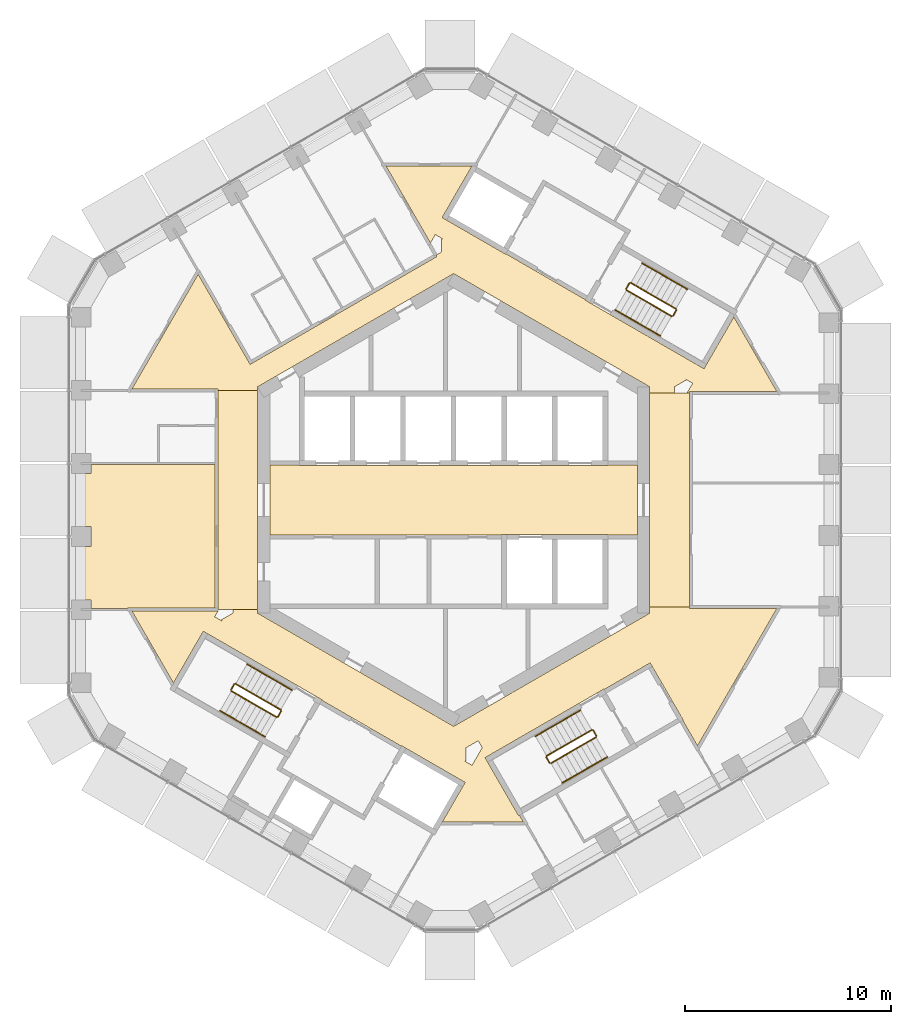
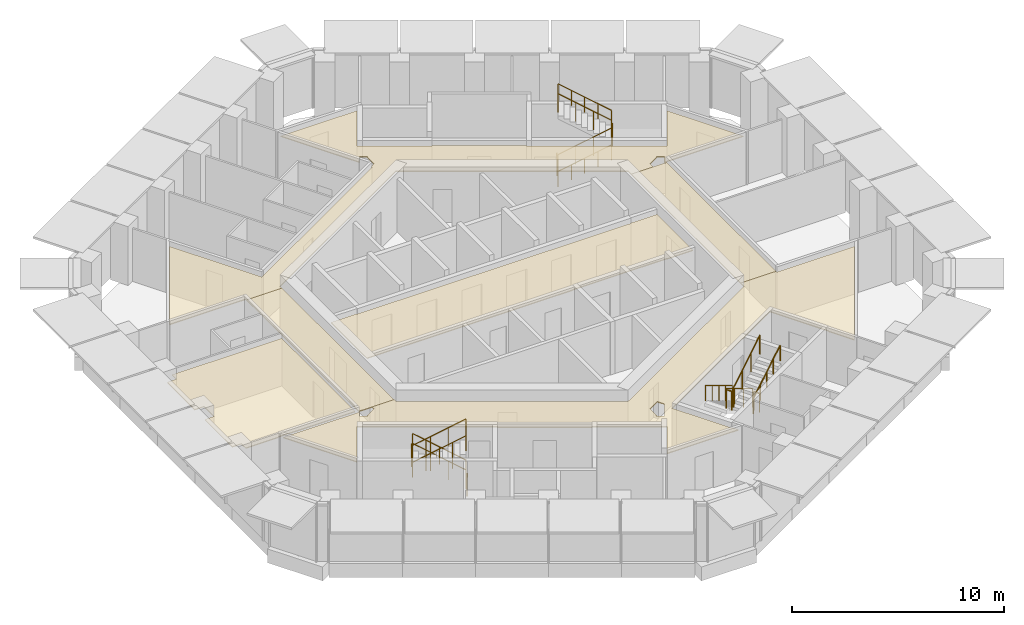
# One storey, part 18 of 18: 24 railings, 6 coverings.
"""IFC4 building model written with IfcOpenShell, lengths in metres."""

from ifc_helpers import new_model, si_unit, direction, frame, origin, origin_2d, place, context, subcontext, project, spatial, polyline, circle, outline, extrude, material, layer, layer_set, type_object, element, save


model = new_model("IFC4")

# Units and contexts
model_context = context("Model", 3, precision=1e-05, world=origin(), true_north=direction((0.0, 1.0)))
body_context = subcontext(model_context, "Body", "Model", "MODEL_VIEW")
ifc_project = project(units=[si_unit("LENGTHUNIT", "METRE"), si_unit("AREAUNIT", "SQUARE_METRE"), si_unit("VOLUMEUNIT", "CUBIC_METRE"), si_unit("PLANEANGLEUNIT", "RADIAN"), si_unit("MASSUNIT", "GRAM", prefix="KILO")], contexts=[model_context])

# Site, building, storey
site_placement = place(None, origin())
site = spatial("IfcSite", under=ifc_project, at=site_placement, CompositionType="ELEMENT")
building_placement = place(site_placement, origin())
building = spatial("IfcBuilding", under=site, at=building_placement, Name="Ayvan Gate Tower", CompositionType="ELEMENT")
storey_placement = place(building_placement, frame((0.0, 0.0, 159.5)))
storey = spatial("IfcBuildingStorey", under=building, at=storey_placement, Name="L42", CompositionType="ELEMENT", Elevation=159.5)

# Coverings
ifc_material_1 = material(Name="Plasterboard suspended ceiling")
ifc_layer = layer(ifc_material_1, 0.050048828125)
ifc_layer_set = layer_set([ifc_layer], Name="Plasterboard suspended ceiling")
covering_type = type_object("IfcCoveringType", Name="CT-SUSP-50", PredefinedType="CEILING", material=ifc_layer_set)
covering_1_placement = place(storey_placement, frame((0.0, 0.0, 2.699951171875)))
element("IfcCovering", 1, at=covering_1_placement, inside=storey, type_object=covering_type, Name="Ceiling Lift Lobby L42", PredefinedType="CEILING", context=body_context, shape_type="SweptSolid", body=[
    extrude(outline(polyline([(7.47509765625, -1.675048828125), (2.324951171875, -1.675048828125), (2.324951171875, -1.699951171875), (-8.89990234375, -1.699951171875), (-8.89990234375, 1.699951171875), (-7.47509765625, 1.699951171875), (-7.47509765625, 1.675048828125), (7.47509765625, 1.675048828125), (7.47509765625, 1.699951171875), (8.89990234375, 1.699951171875), (8.89990234375, -1.699951171875), (7.47509765625, -1.699951171875), (7.47509765625, -1.675048828125)])), origin(), (0.0, 0.0, 1.0), 0.050048828125),
])
covering_2_placement = place(storey_placement, frame((0.0, 0.0, 2.699951171875)))
element("IfcCovering", 2, at=covering_2_placement, inside=storey, type_object=covering_type, Name="Ceiling Gallery L42", PredefinedType="CEILING", context=body_context, shape_type="SweptSolid", body=[
    extrude(outline(polyline([(-11.914794921875, -6.48681640625), (-12.131103515625, -6.36181640625), (-13.577880859375, -8.8671875), (-15.593017578125, -5.376953125), (-11.418212890625, -5.376953125), (-11.580322265625, -5.65771484375), (-11.2294921875, -5.8603515625), (-11.259765625, -5.80810546875), (-10.699951171875, -5.48486328125), (-10.699951171875, -5.302001953125), (-9.5, -5.302001953125), (-9.5, -5.48486328125), (0.0, -10.9697265625), (8.38720703125, -6.127197265625), (9.5, -5.48486328125), (9.5, -5.178466796875), (11.4248046875, -5.178466796875), (11.4248046875, -5.25341796875), (15.664306640625, -5.25341796875), (11.81689453125, -11.917236328125), (11.102294921875, -10.6796875), (11.123779296875, -10.667236328125), (9.623779296875, -8.069091796875), (9.52392578125, -7.89599609375), (7.2939453125, -9.183349609375), (7.281494140625, -9.16162109375), (1.522216796875, -12.48681640625), (1.647216796875, -12.703369140625), (3.147216796875, -15.30126953125), (3.190673828125, -15.2763671875), (3.373046875, -15.59228515625), (-0.544189453125, -15.59228515625), (0.43115234375, -13.9033203125), (0.55615234375, -13.686767578125), (-2.284423828125, -12.046630859375), (-2.518310546875, -11.91162109375), (-2.53076171875, -11.933349609375), (-6.384521484375, -9.70849609375), (-6.3720703125, -9.686767578125), (-11.91455078125, -6.48681640625), (-11.914794921875, -6.48681640625)]), holes=[polyline([(1.385498046875, -12.0), (1.193115234375, -11.66650390625), (0.60009765625, -12.0087890625), (0.60009765625, -12.6552734375), (0.53955078125, -12.6552734375), (0.890380859375, -12.85791015625), (1.385498046875, -12.0)])]), origin(), (0.0, 0.0, 1.0), 0.050048828125),
])
covering_3_placement = place(storey_placement, frame((0.0, 0.0, 2.699951171875)))
element("IfcCovering", 3, at=covering_3_placement, inside=storey, type_object=covering_type, Name="Ceiling Gallery L42", PredefinedType="CEILING", context=body_context, shape_type="SweptSolid", body=[
    extrude(outline(polyline([(-9.732421875, 6.649658203125), (-9.732421875, 6.64990234375), (-0.82763671875, 11.790771484375), (-0.865234375, 11.855712890625), (-0.60009765625, 12.0087890625), (-0.60009765625, 12.6552734375), (-0.53955078125, 12.6552734375), (-0.890380859375, 12.85791015625), (-1.123779296875, 12.45361328125), (-3.282470703125, 16.1923828125), (0.890380859375, 16.1923828125), (-0.55615234375, 13.686767578125), (-0.339599609375, 13.561767578125), (2.518310546875, 11.91162109375), (2.53076171875, 11.933349609375), (6.384521484375, 9.70849609375), (6.3720703125, 9.686767578125), (6.588623046875, 9.561767578125), (12.131103515625, 6.36181640625), (12.24609375, 6.56103515625), (13.577880859375, 8.8671875), (15.664306640625, 5.25341796875), (11.425048828125, 5.25341796875), (11.425048828125, 5.178466796875), (11.3037109375, 5.178466796875), (11.580322265625, 5.65771484375), (11.2294921875, 5.8603515625), (11.259765625, 5.80810546875), (10.699951171875, 5.48486328125), (10.699951171875, 5.178466796875), (9.5, 5.178466796875), (9.5, 5.48486328125), (0.0, 10.9697265625), (-9.5, 5.48486328125), (-9.5, 5.302001953125), (-11.425048828125, 5.302001953125), (-11.425048828125, 5.376953125), (-15.593017578125, 5.376953125), (-12.3818359375, 10.938720703125), (-9.8623046875, 6.57470703125), (-9.732421875, 6.649658203125)])), origin(), (0.0, 0.0, 1.0), 0.050048828125),
])
covering_4_placement = place(storey_placement, frame((0.0, 0.0, 2.699951171875)))
element("IfcCovering", 4, at=covering_4_placement, inside=storey, type_object=covering_type, Name="Ceiling Lift Lounge Lobby L42", PredefinedType="CEILING", context=body_context, shape_type="SweptSolid", body=[
    extrude(outline(polyline([(11.4248046875, -5.178466796875), (9.5, -5.178466796875), (9.5, 5.178466796875), (11.425048828125, 5.178466796875), (11.425048828125, -5.103515625), (11.4248046875, -5.103515625), (11.4248046875, -5.178466796875)])), origin(), (0.0, 0.0, 1.0), 0.050048828125),
])
covering_5_placement = place(storey_placement, frame((0.0, 0.0, 2.699951171875)))
element("IfcCovering", 5, at=covering_5_placement, inside=storey, type_object=covering_type, Name="Ceiling Lift Lounge Lobby L42", PredefinedType="CEILING", context=body_context, shape_type="SweptSolid", body=[
    extrude(outline(polyline([(-11.4248046875, -5.226806640625), (-11.425048828125, 5.302001953125), (-9.5, 5.302001953125), (-9.5, -5.302001953125), (-11.4248046875, -5.302001953125), (-11.4248046875, -5.226806640625)])), origin(), (0.0, 0.0, 1.0), 0.050048828125),
])
covering_6_placement = place(storey_placement, frame((0.0, 0.0, 2.699951171875)))
element("IfcCovering", 6, at=covering_6_placement, inside=storey, type_object=covering_type, Name="Ceiling Shared Kitchen L42", PredefinedType="CEILING", context=body_context, shape_type="SweptSolid", body=[
    extrude(outline(polyline([(-17.563232421875, -2.24560546875), (-17.563232421875, -1.295654296875), (-18.06787109375, -1.295654296875), (-18.06787109375, 1.295654296875), (-17.563232421875, 1.295654296875), (-17.563232421875, 1.71728515625), (-11.574951171875, 1.71728515625), (-11.574951171875, -5.226806640625), (-15.7978515625, -5.226806640625), (-15.7978515625, -5.251953125), (-17.563232421875, -5.251953125), (-17.563232421875, -4.837158203125), (-18.06787109375, -4.837158203125), (-18.06787109375, -2.24560546875), (-17.563232421875, -2.24560546875)])), origin(), (0.0, 0.0, 1.0), 0.050048828125),
])

# Railings
ifc_material_2 = material(Name="Stainless steel balustrade", Category="steel")
railing_type_1 = type_object("IfcRailingType", Name="RL-GUARD-1100", PredefinedType="GUARDRAIL", material=ifc_material_2)
railing_1_placement = place(storey_placement, frame((8.381103515625, 10.16650390625, 0.169921875)))
element("IfcRailing", 7, at=railing_1_placement, inside=storey, type_object=railing_type_1, Name="L42 STS1 stair guard 1", PredefinedType="GUARDRAIL", context=body_context, shape_type="SweptSolid", body=[
    extrude(circle(Radius=0.02392578125, at=origin_2d()), frame((0.0, 0.0, 1.076171875), z_axis=(0.740261155115, -0.427395438142, 0.518986090067), x_axis=(0.500004791531, 0.866022637375, 0.0)), (0.0, 0.0, 1.0), 2.947998046875),
    extrude(circle(Radius=0.02099609375, at=origin_2d()), origin(), (0.0, 0.0, 1.0), 1.052001953125),
    extrude(circle(Radius=0.02099609375, at=origin_2d()), frame((0.7275390625, -0.419921875, 0.510009765625)), (0.0, 0.0, 1.0), 1.052001953125),
    extrude(circle(Radius=0.02099609375, at=origin_2d()), frame((1.454833984375, -0.840087890625, 1.02001953125)), (0.0, 0.0, 1.0), 1.052001953125),
    extrude(circle(Radius=0.02099609375, at=origin_2d()), frame((2.182373046875, -1.260009765625, 1.530029296875)), (0.0, 0.0, 1.0), 1.052001953125),
])
railing_2_placement = place(storey_placement, frame((10.6318359375, 8.9248046875, 1.699951171875)))
element("IfcRailing", 8, at=railing_2_placement, inside=storey, type_object=railing_type_1, Name="L42 STS1 stair guard 2", PredefinedType="GUARDRAIL", context=body_context, shape_type="SweptSolid", body=[
    extrude(circle(Radius=0.02392578125, at=origin_2d()), frame((0.0, 0.0, 1.076171875), z_axis=(0.499949632511, 0.866054481515, 0.0), x_axis=(-0.866054481515, 0.499949632511, 0.0)), (0.0, 0.0, 1.0), 0.31005859375),
    extrude(circle(Radius=0.02099609375, at=origin_2d()), origin(), (0.0, 0.0, 1.0), 1.052001953125),
    extrude(circle(Radius=0.02099609375, at=origin_2d()), frame((0.155029296875, 0.2685546875, 0.0)), (0.0, 0.0, 1.0), 1.052001953125),
])
railing_3_placement = place(storey_placement, frame((10.7685546875, 9.261474609375, 1.8701171875)))
element("IfcRailing", 9, at=railing_3_placement, inside=storey, type_object=railing_type_1, Name="L42 STS1 stair guard 3", PredefinedType="GUARDRAIL", context=body_context, shape_type="SweptSolid", body=[
    extrude(circle(Radius=0.02392578125, at=origin_2d()), frame((0.0, 0.0, 1.076171875), z_axis=(-0.740292969978, 0.427413806696, 0.51892557891), x_axis=(-0.500004791531, -0.866022637375, 0.0)), (0.0, 0.0, 1.0), 2.947998046875),
    extrude(circle(Radius=0.02099609375, at=origin_2d()), origin(), (0.0, 0.0, 1.0), 1.052001953125),
    extrude(circle(Radius=0.02099609375, at=origin_2d()), frame((-0.7275390625, 0.419921875, 0.510009765625)), (0.0, 0.0, 1.0), 1.052001953125),
    extrude(circle(Radius=0.02099609375, at=origin_2d()), frame((-1.454833984375, 0.840087890625, 1.019775390625)), (0.0, 0.0, 1.0), 1.052001953125),
    extrude(circle(Radius=0.02099609375, at=origin_2d()), frame((-2.182373046875, 1.260009765625, 1.52978515625)), (0.0, 0.0, 1.0), 1.052001953125),
])
railing_4_placement = place(storey_placement, frame((8.36279296875, 10.23486328125, 0.0)))
element("IfcRailing", 10, at=railing_4_placement, inside=storey, type_object=railing_type_1, Name="L42 STS1 stair guard 4", PredefinedType="GUARDRAIL", context=body_context, shape_type="SweptSolid", body=[
    extrude(circle(Radius=0.02392578125, at=origin_2d()), frame((0.0, 0.0, 1.076171875), z_axis=(0.500290723946, 0.86585748916, 0.0), x_axis=(-0.86585748916, 0.500290723946, 0.0)), (0.0, 0.0, 1.0), 0.309814453125),
    extrude(circle(Radius=0.02099609375, at=origin_2d()), origin(), (0.0, 0.0, 1.0), 1.052001953125),
    extrude(circle(Radius=0.02099609375, at=origin_2d()), frame((0.155029296875, 0.268310546875, 0.0)), (0.0, 0.0, 1.0), 1.052001953125),
])
railing_5_placement = place(storey_placement, frame((-8.381103515625, -10.16650390625, 0.169921875)))
element("IfcRailing", 11, at=railing_5_placement, inside=storey, type_object=railing_type_1, Name="L42 STS2 stair guard 1", PredefinedType="GUARDRAIL", context=body_context, shape_type="SweptSolid", body=[
    extrude(circle(Radius=0.02392578125, at=origin_2d()), frame((0.0, 0.0, 1.076171875), z_axis=(-0.740261155115, 0.427395438142, 0.518986090067), x_axis=(-0.500004791531, -0.866022637375, 0.0)), (0.0, 0.0, 1.0), 2.947998046875),
    extrude(circle(Radius=0.02099609375, at=origin_2d()), origin(), (0.0, 0.0, 1.0), 1.052001953125),
    extrude(circle(Radius=0.02099609375, at=origin_2d()), frame((-0.7275390625, 0.419921875, 0.510009765625)), (0.0, 0.0, 1.0), 1.052001953125),
    extrude(circle(Radius=0.02099609375, at=origin_2d()), frame((-1.454833984375, 0.840087890625, 1.02001953125)), (0.0, 0.0, 1.0), 1.052001953125),
    extrude(circle(Radius=0.02099609375, at=origin_2d()), frame((-2.182373046875, 1.260009765625, 1.530029296875)), (0.0, 0.0, 1.0), 1.052001953125),
])
railing_6_placement = place(storey_placement, frame((-10.6318359375, -8.9248046875, 1.699951171875)))
element("IfcRailing", 12, at=railing_6_placement, inside=storey, type_object=railing_type_1, Name="L42 STS2 stair guard 2", PredefinedType="GUARDRAIL", context=body_context, shape_type="SweptSolid", body=[
    extrude(circle(Radius=0.02392578125, at=origin_2d()), frame((0.0, 0.0, 1.076171875), z_axis=(-0.499949632511, -0.866054481515, 0.0), x_axis=(0.866054481515, -0.499949632511, 0.0)), (0.0, 0.0, 1.0), 0.31005859375),
    extrude(circle(Radius=0.02099609375, at=origin_2d()), origin(), (0.0, 0.0, 1.0), 1.052001953125),
    extrude(circle(Radius=0.02099609375, at=origin_2d()), frame((-0.155029296875, -0.2685546875, 0.0)), (0.0, 0.0, 1.0), 1.052001953125),
])
railing_7_placement = place(storey_placement, frame((-10.7685546875, -9.261474609375, 1.8701171875)))
element("IfcRailing", 13, at=railing_7_placement, inside=storey, type_object=railing_type_1, Name="L42 STS2 stair guard 3", PredefinedType="GUARDRAIL", context=body_context, shape_type="SweptSolid", body=[
    extrude(circle(Radius=0.02392578125, at=origin_2d()), frame((0.0, 0.0, 1.076171875), z_axis=(0.740292969978, -0.427413806696, 0.51892557891), x_axis=(0.500004791531, 0.866022637375, 0.0)), (0.0, 0.0, 1.0), 2.947998046875),
    extrude(circle(Radius=0.02099609375, at=origin_2d()), origin(), (0.0, 0.0, 1.0), 1.052001953125),
    extrude(circle(Radius=0.02099609375, at=origin_2d()), frame((0.7275390625, -0.419921875, 0.510009765625)), (0.0, 0.0, 1.0), 1.052001953125),
    extrude(circle(Radius=0.02099609375, at=origin_2d()), frame((1.454833984375, -0.840087890625, 1.019775390625)), (0.0, 0.0, 1.0), 1.052001953125),
    extrude(circle(Radius=0.02099609375, at=origin_2d()), frame((2.182373046875, -1.260009765625, 1.52978515625)), (0.0, 0.0, 1.0), 1.052001953125),
])
railing_8_placement = place(storey_placement, frame((-8.36279296875, -10.23486328125, 0.0)))
element("IfcRailing", 14, at=railing_8_placement, inside=storey, type_object=railing_type_1, Name="L42 STS2 stair guard 4", PredefinedType="GUARDRAIL", context=body_context, shape_type="SweptSolid", body=[
    extrude(circle(Radius=0.02392578125, at=origin_2d()), frame((0.0, 0.0, 1.076171875), z_axis=(-0.500290723946, -0.86585748916, 0.0), x_axis=(0.86585748916, -0.500290723946, 0.0)), (0.0, 0.0, 1.0), 0.309814453125),
    extrude(circle(Radius=0.02099609375, at=origin_2d()), origin(), (0.0, 0.0, 1.0), 1.052001953125),
    extrude(circle(Radius=0.02099609375, at=origin_2d()), frame((-0.155029296875, -0.268310546875, 0.0)), (0.0, 0.0, 1.0), 1.052001953125),
])
railing_9_placement = place(storey_placement, frame((6.6923828125, -11.1416015625, 0.169921875)))
element("IfcRailing", 15, at=railing_9_placement, inside=storey, type_object=railing_type_1, Name="L42 STS3 stair guard 1", PredefinedType="GUARDRAIL", context=body_context, shape_type="SweptSolid", body=[
    extrude(circle(Radius=0.02392578125, at=origin_2d()), frame((0.0, 0.0, 1.076171875), z_axis=(-0.740261155115, -0.427395438142, 0.518986090067), x_axis=(0.500004791531, -0.866022637375, 0.0)), (0.0, 0.0, 1.0), 2.947998046875),
    extrude(circle(Radius=0.02099609375, at=origin_2d()), origin(), (0.0, 0.0, 1.0), 1.052001953125),
    extrude(circle(Radius=0.02099609375, at=origin_2d()), frame((-0.7275390625, -0.419921875, 0.510009765625)), (0.0, 0.0, 1.0), 1.052001953125),
    extrude(circle(Radius=0.02099609375, at=origin_2d()), frame((-1.454833984375, -0.840087890625, 1.02001953125)), (0.0, 0.0, 1.0), 1.052001953125),
    extrude(circle(Radius=0.02099609375, at=origin_2d()), frame((-2.182373046875, -1.260009765625, 1.530029296875)), (0.0, 0.0, 1.0), 1.052001953125),
])
railing_10_placement = place(storey_placement, frame((4.49169921875, -12.4697265625, 1.699951171875)))
element("IfcRailing", 16, at=railing_10_placement, inside=storey, type_object=railing_type_1, Name="L42 STS3 stair guard 2", PredefinedType="GUARDRAIL", context=body_context, shape_type="SweptSolid", body=[
    extrude(circle(Radius=0.02392578125, at=origin_2d()), frame((0.0, 0.0, 1.076171875), z_axis=(0.499949632511, -0.866054481515, 0.0), x_axis=(0.866054481515, 0.499949632511, 0.0)), (0.0, 0.0, 1.0), 0.31005859375),
    extrude(circle(Radius=0.02099609375, at=origin_2d()), origin(), (0.0, 0.0, 1.0), 1.052001953125),
    extrude(circle(Radius=0.02099609375, at=origin_2d()), frame((0.155029296875, -0.2685546875, 0.0)), (0.0, 0.0, 1.0), 1.052001953125),
])
railing_11_placement = place(storey_placement, frame((4.715087890625, -12.756591796875, 1.8701171875)))
element("IfcRailing", 17, at=railing_11_placement, inside=storey, type_object=railing_type_1, Name="L42 STS3 stair guard 3", PredefinedType="GUARDRAIL", context=body_context, shape_type="SweptSolid", body=[
    extrude(circle(Radius=0.02392578125, at=origin_2d()), frame((0.0, 0.0, 1.076171875), z_axis=(0.740292969978, 0.427413806696, 0.51892557891), x_axis=(-0.500004791531, 0.866022637375, 0.0)), (0.0, 0.0, 1.0), 2.947998046875),
    extrude(circle(Radius=0.02099609375, at=origin_2d()), origin(), (0.0, 0.0, 1.0), 1.052001953125),
    extrude(circle(Radius=0.02099609375, at=origin_2d()), frame((0.7275390625, 0.419921875, 0.510009765625)), (0.0, 0.0, 1.0), 1.052001953125),
    extrude(circle(Radius=0.02099609375, at=origin_2d()), frame((1.454833984375, 0.840087890625, 1.019775390625)), (0.0, 0.0, 1.0), 1.052001953125),
    extrude(circle(Radius=0.02099609375, at=origin_2d()), frame((2.182373046875, 1.260009765625, 1.52978515625)), (0.0, 0.0, 1.0), 1.052001953125),
])
railing_12_placement = place(storey_placement, frame((6.7607421875, -11.159912109375, 0.0)))
element("IfcRailing", 18, at=railing_12_placement, inside=storey, type_object=railing_type_1, Name="L42 STS3 stair guard 4", PredefinedType="GUARDRAIL", context=body_context, shape_type="SweptSolid", body=[
    extrude(circle(Radius=0.02392578125, at=origin_2d()), frame((0.0, 0.0, 1.076171875), z_axis=(0.500290723946, -0.86585748916, 0.0), x_axis=(0.86585748916, 0.500290723946, 0.0)), (0.0, 0.0, 1.0), 0.309814453125),
    extrude(circle(Radius=0.02099609375, at=origin_2d()), origin(), (0.0, 0.0, 1.0), 1.052001953125),
    extrude(circle(Radius=0.02099609375, at=origin_2d()), frame((0.155029296875, -0.268310546875, 0.0)), (0.0, 0.0, 1.0), 1.052001953125),
])
railing_type_2 = type_object("IfcRailingType", Name="RL-HANDRAIL-900", PredefinedType="HANDRAIL", material=ifc_material_2)
railing_13_placement = place(storey_placement, frame((7.8310546875, 9.2138671875, 0.169921875)))
element("IfcRailing", 19, at=railing_13_placement, inside=storey, type_object=railing_type_2, Name="L42 STS1 stair handrail 1", PredefinedType="HANDRAIL", context=body_context, shape_type="SweptSolid", body=[
    extrude(circle(Radius=0.02392578125, at=origin_2d()), frame((0.0, 0.0, 0.8759765625), z_axis=(0.740292964666, -0.42728318766, 0.519033143459), x_axis=(0.499890179513, 0.866088799389, 0.0)), (0.0, 0.0, 1.0), 1.47412109375),
    extrude(circle(Radius=0.02099609375, at=origin_2d()), origin(), (0.0, 0.0, 1.0), 0.851806640625),
    extrude(circle(Radius=0.02099609375, at=origin_2d()), frame((0.545654296875, -0.31494140625, 0.382568359375)), (0.0, 0.0, 1.0), 0.851806640625),
    extrude(circle(Radius=0.02099609375, at=origin_2d()), frame((1.09130859375, -0.6298828125, 0.76513671875)), (0.0, 0.0, 1.0), 0.851806640625),
])
railing_14_placement = place(storey_placement, frame((8.92236328125, 8.583984375, 0.93505859375)))
element("IfcRailing", 20, at=railing_14_placement, inside=storey, type_object=railing_type_2, Name="L42 STS1 stair handrail 2", PredefinedType="HANDRAIL", context=body_context, shape_type="SweptSolid", body=[
    extrude(circle(Radius=0.02392578125, at=origin_2d()), frame((0.0, 0.0, 0.8759765625), z_axis=(0.740229329464, -0.427507697325, 0.518939021976), x_axis=(0.50011940292, 0.865956455501, 0.0)), (0.0, 0.0, 1.0), 1.473876953125),
    extrude(circle(Radius=0.02099609375, at=origin_2d()), origin(), (0.0, 0.0, 1.0), 0.851806640625),
    extrude(circle(Radius=0.02099609375, at=origin_2d()), frame((0.54541015625, -0.31494140625, 0.38232421875)), (0.0, 0.0, 1.0), 0.851806640625),
    extrude(circle(Radius=0.02099609375, at=origin_2d()), frame((1.091064453125, -0.630126953125, 0.764892578125)), (0.0, 0.0, 1.0), 0.851806640625),
])
railing_15_placement = place(storey_placement, frame((11.318603515625, 10.214111328125, 1.8701171875)))
element("IfcRailing", 21, at=railing_15_placement, inside=storey, type_object=railing_type_2, Name="L42 STS1 stair handrail 3", PredefinedType="HANDRAIL", context=body_context, shape_type="SweptSolid", body=[
    extrude(circle(Radius=0.02392578125, at=origin_2d()), frame((0.0, 0.0, 0.8759765625), z_axis=(-0.740304193401, 0.427455284825, 0.518875399983), x_axis=(-0.500035496587, -0.86600490885, 0.0)), (0.0, 0.0, 1.0), 1.47412109375),
    extrude(circle(Radius=0.02099609375, at=origin_2d()), origin(), (0.0, 0.0, 1.0), 0.851806640625),
    extrude(circle(Radius=0.02099609375, at=origin_2d()), frame((-0.545654296875, 0.31494140625, 0.38232421875)), (0.0, 0.0, 1.0), 0.851806640625),
    extrude(circle(Radius=0.02099609375, at=origin_2d()), frame((-1.09130859375, 0.630126953125, 0.764892578125)), (0.0, 0.0, 1.0), 0.851806640625),
])
railing_16_placement = place(storey_placement, frame((10.227294921875, 10.84423828125, 2.635009765625)))
element("IfcRailing", 22, at=railing_16_placement, inside=storey, type_object=railing_type_2, Name="L42 STS1 stair handrail 4", PredefinedType="HANDRAIL", context=body_context, shape_type="SweptSolid", body=[
    extrude(circle(Radius=0.02392578125, at=origin_2d()), frame((0.0, 0.0, 0.8759765625), z_axis=(-0.740356597536, 0.427319915356, 0.518912129772), x_axis=(-0.499890179513, -0.866088799389, 0.0)), (0.0, 0.0, 1.0), 1.47412109375),
    extrude(circle(Radius=0.02099609375, at=origin_2d()), origin(), (0.0, 0.0, 1.0), 0.851806640625),
    extrude(circle(Radius=0.02099609375, at=origin_2d()), frame((-0.545654296875, 0.31494140625, 0.38232421875)), (0.0, 0.0, 1.0), 0.851806640625),
    extrude(circle(Radius=0.02099609375, at=origin_2d()), frame((-1.09130859375, 0.6298828125, 0.764892578125)), (0.0, 0.0, 1.0), 0.851806640625),
])
railing_17_placement = place(storey_placement, frame((-7.8310546875, -9.2138671875, 0.169921875)))
element("IfcRailing", 23, at=railing_17_placement, inside=storey, type_object=railing_type_2, Name="L42 STS2 stair handrail 1", PredefinedType="HANDRAIL", context=body_context, shape_type="SweptSolid", body=[
    extrude(circle(Radius=0.02392578125, at=origin_2d()), frame((0.0, 0.0, 0.8759765625), z_axis=(-0.740292964666, 0.42728318766, 0.519033143459), x_axis=(-0.499890179513, -0.866088799389, 0.0)), (0.0, 0.0, 1.0), 1.47412109375),
    extrude(circle(Radius=0.02099609375, at=origin_2d()), origin(), (0.0, 0.0, 1.0), 0.851806640625),
    extrude(circle(Radius=0.02099609375, at=origin_2d()), frame((-0.545654296875, 0.31494140625, 0.382568359375)), (0.0, 0.0, 1.0), 0.851806640625),
    extrude(circle(Radius=0.02099609375, at=origin_2d()), frame((-1.09130859375, 0.6298828125, 0.76513671875)), (0.0, 0.0, 1.0), 0.851806640625),
])
railing_18_placement = place(storey_placement, frame((-8.92236328125, -8.583984375, 0.93505859375)))
element("IfcRailing", 24, at=railing_18_placement, inside=storey, type_object=railing_type_2, Name="L42 STS2 stair handrail 2", PredefinedType="HANDRAIL", context=body_context, shape_type="SweptSolid", body=[
    extrude(circle(Radius=0.02392578125, at=origin_2d()), frame((0.0, 0.0, 0.8759765625), z_axis=(-0.740229329464, 0.427507697325, 0.518939021976), x_axis=(-0.50011940292, -0.865956455501, 0.0)), (0.0, 0.0, 1.0), 1.473876953125),
    extrude(circle(Radius=0.02099609375, at=origin_2d()), origin(), (0.0, 0.0, 1.0), 0.851806640625),
    extrude(circle(Radius=0.02099609375, at=origin_2d()), frame((-0.54541015625, 0.31494140625, 0.38232421875)), (0.0, 0.0, 1.0), 0.851806640625),
    extrude(circle(Radius=0.02099609375, at=origin_2d()), frame((-1.091064453125, 0.630126953125, 0.764892578125)), (0.0, 0.0, 1.0), 0.851806640625),
])
railing_19_placement = place(storey_placement, frame((-11.318603515625, -10.214111328125, 1.8701171875)))
element("IfcRailing", 25, at=railing_19_placement, inside=storey, type_object=railing_type_2, Name="L42 STS2 stair handrail 3", PredefinedType="HANDRAIL", context=body_context, shape_type="SweptSolid", body=[
    extrude(circle(Radius=0.02392578125, at=origin_2d()), frame((0.0, 0.0, 0.8759765625), z_axis=(0.740304193401, -0.427455284825, 0.518875399983), x_axis=(0.500035496587, 0.86600490885, 0.0)), (0.0, 0.0, 1.0), 1.47412109375),
    extrude(circle(Radius=0.02099609375, at=origin_2d()), origin(), (0.0, 0.0, 1.0), 0.851806640625),
    extrude(circle(Radius=0.02099609375, at=origin_2d()), frame((0.545654296875, -0.31494140625, 0.38232421875)), (0.0, 0.0, 1.0), 0.851806640625),
    extrude(circle(Radius=0.02099609375, at=origin_2d()), frame((1.09130859375, -0.630126953125, 0.764892578125)), (0.0, 0.0, 1.0), 0.851806640625),
])
railing_20_placement = place(storey_placement, frame((-10.227294921875, -10.84423828125, 2.635009765625)))
element("IfcRailing", 26, at=railing_20_placement, inside=storey, type_object=railing_type_2, Name="L42 STS2 stair handrail 4", PredefinedType="HANDRAIL", context=body_context, shape_type="SweptSolid", body=[
    extrude(circle(Radius=0.02392578125, at=origin_2d()), frame((0.0, 0.0, 0.8759765625), z_axis=(0.740356597536, -0.427319915356, 0.518912129772), x_axis=(0.499890179513, 0.866088799389, 0.0)), (0.0, 0.0, 1.0), 1.47412109375),
    extrude(circle(Radius=0.02099609375, at=origin_2d()), origin(), (0.0, 0.0, 1.0), 0.851806640625),
    extrude(circle(Radius=0.02099609375, at=origin_2d()), frame((0.545654296875, -0.31494140625, 0.38232421875)), (0.0, 0.0, 1.0), 0.851806640625),
    extrude(circle(Radius=0.02099609375, at=origin_2d()), frame((1.09130859375, -0.6298828125, 0.764892578125)), (0.0, 0.0, 1.0), 0.851806640625),
])
railing_21_placement = place(storey_placement, frame((6.142333984375, -10.18896484375, 0.169921875)))
element("IfcRailing", 27, at=railing_21_placement, inside=storey, type_object=railing_type_2, Name="L42 STS3 stair handrail 1", PredefinedType="HANDRAIL", context=body_context, shape_type="SweptSolid", body=[
    extrude(circle(Radius=0.02392578125, at=origin_2d()), frame((0.0, 0.0, 0.8759765625), z_axis=(-0.740218099111, -0.427335577468, 0.519096782863), x_axis=(0.499974077718, -0.866040369504, 0.0)), (0.0, 0.0, 1.0), 1.473876953125),
    extrude(circle(Radius=0.02099609375, at=origin_2d()), origin(), (0.0, 0.0, 1.0), 0.851806640625),
    extrude(circle(Radius=0.02099609375, at=origin_2d()), frame((-0.54541015625, -0.31494140625, 0.382568359375)), (0.0, 0.0, 1.0), 0.851806640625),
    extrude(circle(Radius=0.02099609375, at=origin_2d()), frame((-1.091064453125, -0.6298828125, 0.76513671875)), (0.0, 0.0, 1.0), 0.851806640625),
])
railing_22_placement = place(storey_placement, frame((5.05126953125, -10.81884765625, 0.93505859375)))
element("IfcRailing", 28, at=railing_22_placement, inside=storey, type_object=railing_type_2, Name="L42 STS3 stair handrail 2", PredefinedType="HANDRAIL", context=body_context, shape_type="SweptSolid", body=[
    extrude(circle(Radius=0.02392578125, at=origin_2d()), frame((0.0, 0.0, 0.8759765625), z_axis=(-0.740304193401, -0.427455284825, 0.518875399983), x_axis=(0.500035496587, -0.86600490885, 0.0)), (0.0, 0.0, 1.0), 1.47412109375),
    extrude(circle(Radius=0.02099609375, at=origin_2d()), origin(), (0.0, 0.0, 1.0), 0.851806640625),
    extrude(circle(Radius=0.02099609375, at=origin_2d()), frame((-0.545654296875, -0.31494140625, 0.38232421875)), (0.0, 0.0, 1.0), 0.851806640625),
    extrude(circle(Radius=0.02099609375, at=origin_2d()), frame((-1.09130859375, -0.630126953125, 0.764892578125)), (0.0, 0.0, 1.0), 0.851806640625),
])
railing_23_placement = place(storey_placement, frame((5.264892578125, -13.709228515625, 1.8701171875)))
element("IfcRailing", 29, at=railing_23_placement, inside=storey, type_object=railing_type_2, Name="L42 STS3 stair handrail 3", PredefinedType="HANDRAIL", context=body_context, shape_type="SweptSolid", body=[
    extrude(circle(Radius=0.02392578125, at=origin_2d()), frame((0.0, 0.0, 0.8759765625), z_axis=(0.740304193401, 0.427455284825, 0.518875399983), x_axis=(-0.500035496587, 0.86600490885, 0.0)), (0.0, 0.0, 1.0), 1.47412109375),
    extrude(circle(Radius=0.02099609375, at=origin_2d()), origin(), (0.0, 0.0, 1.0), 0.851806640625),
    extrude(circle(Radius=0.02099609375, at=origin_2d()), frame((0.545654296875, 0.31494140625, 0.38232421875)), (0.0, 0.0, 1.0), 0.851806640625),
    extrude(circle(Radius=0.02099609375, at=origin_2d()), frame((1.09130859375, 0.630126953125, 0.764892578125)), (0.0, 0.0, 1.0), 0.851806640625),
])
railing_24_placement = place(storey_placement, frame((6.356201171875, -13.0791015625, 2.635009765625)))
element("IfcRailing", 30, at=railing_24_placement, inside=storey, type_object=railing_type_2, Name="L42 STS3 stair handrail 4", PredefinedType="HANDRAIL", context=body_context, shape_type="SweptSolid", body=[
    extrude(circle(Radius=0.02392578125, at=origin_2d()), frame((0.0, 0.0, 0.8759765625), z_axis=(0.740281741151, 0.427372318678, 0.518975765278), x_axis=(-0.499974077718, 0.866040369504, 0.0)), (0.0, 0.0, 1.0), 1.473876953125),
    extrude(circle(Radius=0.02099609375, at=origin_2d()), origin(), (0.0, 0.0, 1.0), 0.851806640625),
    extrude(circle(Radius=0.02099609375, at=origin_2d()), frame((0.54541015625, 0.31494140625, 0.38232421875)), (0.0, 0.0, 1.0), 0.851806640625),
    extrude(circle(Radius=0.02099609375, at=origin_2d()), frame((1.091064453125, 0.6298828125, 0.764892578125)), (0.0, 0.0, 1.0), 0.851806640625),
])

save(model, "model.ifc")
